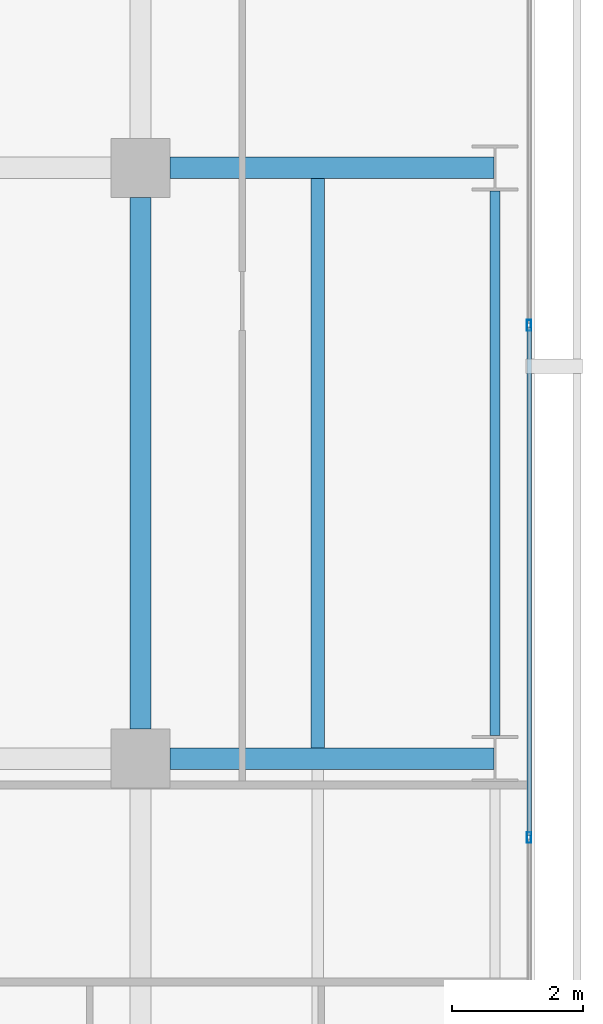
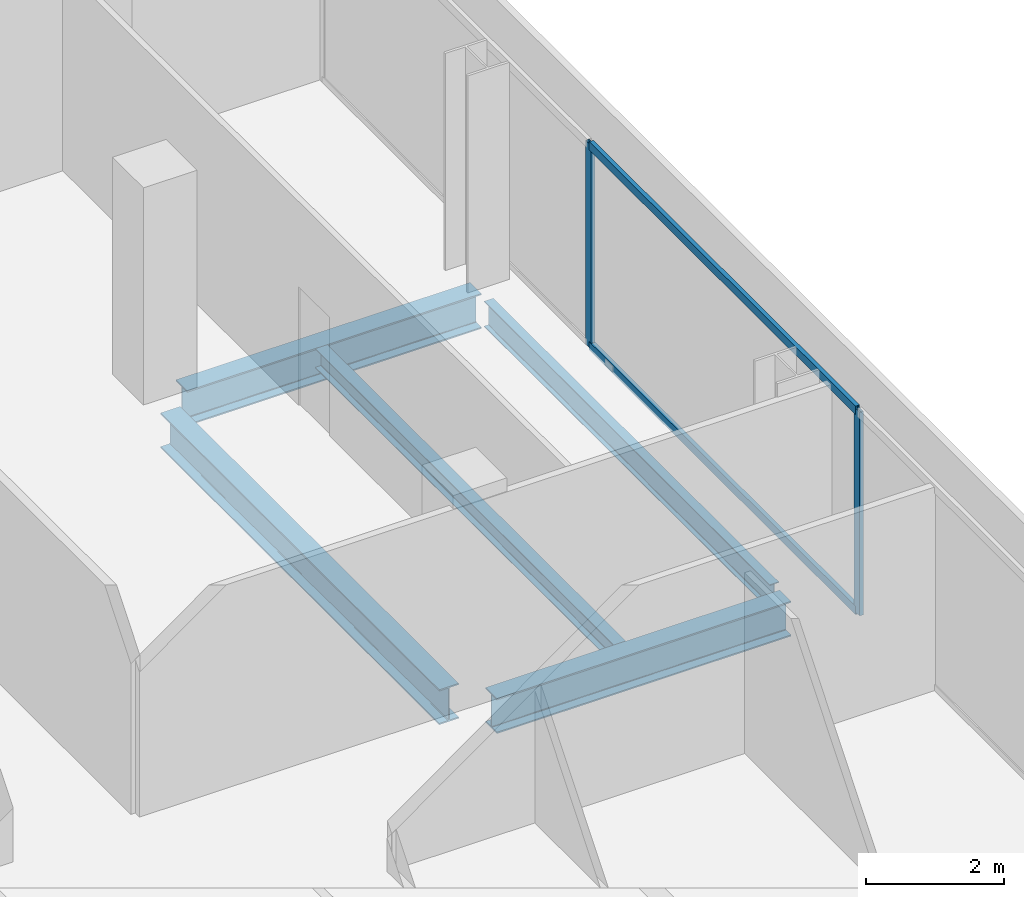
# One storey, part 28 of 40: 5 beams, 4 members, 1 element without a shape of its own.
"""IFC4 building model written with IfcOpenShell, lengths in metres."""

from ifc_helpers import new_model, si_unit, direction, frame, origin, origin_2d, place, context, subcontext, project, spatial, hollow_rectangle, i_section, extrude, material, layer, layer_set, material_profile, profile_set, type_object, element, aggregate, save


model = new_model("IFC4")

# Units and contexts
model_context = context("Model", 3, precision=1e-05, world=origin(), true_north=direction((0.0, 1.0)))
body_context = subcontext(model_context, "Body", "Model", "MODEL_VIEW")
ifc_project = project(units=[si_unit("LENGTHUNIT", "METRE"), si_unit("AREAUNIT", "SQUARE_METRE"), si_unit("VOLUMEUNIT", "CUBIC_METRE"), si_unit("PLANEANGLEUNIT", "RADIAN"), si_unit("MASSUNIT", "GRAM", prefix="KILO")], contexts=[model_context])

# Site, building, storey
site_placement = place(None, origin())
site = spatial("IfcSite", under=ifc_project, at=site_placement, CompositionType="ELEMENT")
building_placement = place(site_placement, origin())
building = spatial("IfcBuilding", under=site, at=building_placement, Name="Maruvema Waterfront Hotel and Observation Tower", CompositionType="ELEMENT")
storey_placement = place(building_placement, frame((0.0, 0.0, 73.14990234375)))
storey = spatial("IfcBuildingStorey", under=building, at=storey_placement, Name="L17", CompositionType="ELEMENT", Elevation=73.14990234375)

# Curtain wall, members
ifc_material_1 = material(Name="Anodised bronze aluminium and solar-control low-E IGU", Category="aluminium")
ifc_layer = layer(ifc_material_1, 0.159912109375, Name="Zone 1 Bronze Inner Thermal Curtain Wall System CW-02")
ifc_layer_set = layer_set([ifc_layer], Name="Anodised bronze aluminium and solar-control low-E IGU")
curtain_wall_type = type_object("IfcCurtainWallType", Name="Zone 1 Bronze Inner Thermal Curtain Wall System CW-02", PredefinedType="USERDEFINED", material=ifc_layer_set)
curtain_wall_placement = place(storey_placement, origin())
curtain_wall = element("IfcCurtainWall", 1, at=curtain_wall_placement, inside=storey, type_object=curtain_wall_type, Name="L17 Curtain Wall CW-L17-E", ObjectType="UNITISED CURTAIN WALL", PredefinedType="USERDEFINED")
ifc_material_2 = material(Name="Anodised architectural bronze aluminium", Category="aluminium")
ifc_material_profile_1 = material_profile(ifc_material_2, hollow_rectangle(XDim=0.070068359375, YDim=0.14990234375, WallThickness=0.00390625, at=origin_2d()), Name="ALU-T70x150")
ifc_profile_set_1 = profile_set([ifc_material_profile_1], Name="Anodised architectural bronze aluminium")
member_type_1 = type_object("IfcMemberType", Name="Curtain Wall Horizontal Transom ALU-T70x150", PredefinedType="USERDEFINED", material=ifc_profile_set_1)
member_1_placement = place(storey_placement, frame((64.719970703125, 34.830078125, 0.030029296875), z_axis=(0.0, 1.0, 0.0), x_axis=(-1.0, 0.0, 0.0)))
member_1 = element("IfcMember", 2, at=member_1_placement, type_object=member_type_1, Name="CW-02 transom 5.1", ObjectType="TRANSOM", PredefinedType="USERDEFINED", context=body_context, shape_type="SweptSolid", body=[
    extrude(hollow_rectangle(XDim=0.070068359375, YDim=0.14990234375, WallThickness=0.00390625, at=origin_2d()), origin(), (0.0, 0.0, 1.0), 7.739990234375),
])
member_2_placement = place(storey_placement, frame((64.719970703125, 34.830078125, 3.580078125), z_axis=(0.0, 1.0, 0.0), x_axis=(-1.0, 0.0, 0.0)))
member_2 = element("IfcMember", 3, at=member_2_placement, type_object=member_type_1, Name="CW-02 transom 5.2", ObjectType="TRANSOM", PredefinedType="USERDEFINED", context=body_context, shape_type="SweptSolid", body=[
    extrude(hollow_rectangle(XDim=0.070068359375, YDim=0.14990234375, WallThickness=0.00390625, at=origin_2d()), origin(), (0.0, 0.0, 1.0), 7.739990234375),
])
ifc_material_3 = material(Name="Anodised architectural bronze aluminium", Category="aluminium")
ifc_material_profile_2 = material_profile(ifc_material_3, hollow_rectangle(XDim=0.06494140625, YDim=0.1650390625, WallThickness=0.00390625, at=origin_2d()), Name="ALU-M65x165")
ifc_profile_set_2 = profile_set([ifc_material_profile_2], Name="Anodised architectural bronze aluminium")
member_type_2 = type_object("IfcMemberType", Name="Curtain Wall Primary Mullion ALU-M65x165", PredefinedType="MULLION", material=ifc_profile_set_2)
member_3_placement = place(storey_placement, frame((64.719970703125, 34.800048828125, 0.0), z_axis=(0.0, 0.0, 1.0), x_axis=(-1.0, 0.0, 0.0)))
member_3 = element("IfcMember", 4, at=member_3_placement, type_object=member_type_2, Name="CW-02 mullion 5", PredefinedType="MULLION", context=body_context, shape_type="SweptSolid", body=[
    extrude(hollow_rectangle(XDim=0.06494140625, YDim=0.1650390625, WallThickness=0.00390625, at=origin_2d()), origin(), (0.0, 0.0, 1.0), 3.610107421875),
])
member_4_placement = place(storey_placement, frame((64.719970703125, 42.60009765625, 0.0), z_axis=(0.0, 0.0, 1.0), x_axis=(-1.0, 0.0, 0.0)))
member_4 = element("IfcMember", 5, at=member_4_placement, type_object=member_type_2, Name="CW-02 mullion 6", PredefinedType="MULLION", context=body_context, shape_type="SweptSolid", body=[
    extrude(hollow_rectangle(XDim=0.06494140625, YDim=0.1650390625, WallThickness=0.00390625, at=origin_2d()), origin(), (0.0, 0.0, 1.0), 3.610107421875),
])
aggregate(curtain_wall, [member_3, member_4, member_1, member_2])

# Beams
ifc_material_4 = material(Name="Steel ASTM A572 Grade 50", Category="steel")
ifc_material_profile_3 = material_profile(ifc_material_4, i_section(OverallWidth=0.153076171875, OverallDepth=0.455078125, WebThickness=0.008056640625, FlangeThickness=0.01318359375, FilletRadius=0.014892578125, at=origin_2d()), Name="W460x60.0")
ifc_profile_set_3 = profile_set([ifc_material_profile_3], Name="Steel ASTM A572 Grade 50")
beam_type_1 = type_object("IfcBeamType", Name="Perimeter Spandrel Beam W460x60.0", PredefinedType="SPANDREL", material=ifc_profile_set_3)
beam_1_placement = place(storey_placement, frame((64.199951171875, 36.35009765625, -0.46728515625), z_axis=(0.0, 1.0, 0.0), x_axis=(-1.0, 0.0, 0.0)))
element("IfcBeam", 6, at=beam_1_placement, inside=storey, type_object=beam_type_1, Name="L17 Floor Girder NS-36", PredefinedType="SPANDREL", context=body_context, shape_type="SweptSolid", body=[
    extrude(i_section(OverallWidth=0.153076171875, OverallDepth=0.455078125, WebThickness=0.008056640625, FlangeThickness=0.01318359375, FilletRadius=0.014892578125, at=origin_2d()), origin(), (0.0, 0.0, 1.0), 8.2998046875),
])
ifc_material_5 = material(Name="Steel ASTM A572 Grade 50", Category="steel")
ifc_material_profile_4 = material_profile(ifc_material_5, i_section(OverallWidth=0.326904296875, OverallDepth=0.6220703125, WebThickness=0.015380859375, FlangeThickness=0.0244140625, FilletRadius=0.01806640625, at=origin_2d()), Name="W610x195.0")
ifc_profile_set_4 = profile_set([ifc_material_profile_4], Name="Steel ASTM A572 Grade 50")
beam_type_2 = type_object("IfcBeamType", Name="Primary Floor Girder W610x195.0", PredefinedType="BEAM", material=ifc_profile_set_4)
for number, where, z_axis, x_axis, name in (
    (7, (59.25, 36.0, -0.55078125), (1.0, 0.0, 0.0), (0.0, 1.0, 0.0), "L17 Floor Girder EW-31"),
    (8, (59.25, 45.0, -0.55078125), (1.0, 0.0, 0.0), (0.0, 1.0, 0.0), "L17 Floor Girder EW-35"),
):
    element("IfcBeam", number, at=place(storey_placement, frame(where, z_axis=z_axis, x_axis=x_axis)), inside=storey, type_object=beam_type_2, Name=name, PredefinedType="BEAM", context=body_context, shape_type="SweptSolid", body=[
        extrude(i_section(OverallWidth=0.326904296875, OverallDepth=0.6220703125, WebThickness=0.015380859375, FlangeThickness=0.0244140625, FilletRadius=0.01806640625, at=origin_2d()), origin(), (0.0, 0.0, 1.0), 4.93603515625),
    ])
beam_2_placement = place(storey_placement, frame((58.800048828125, 36.449951171875, -0.55078125), z_axis=(0.0, 1.0, 0.0), x_axis=(-1.0, 0.0, 0.0)))
element("IfcBeam", 9, at=beam_2_placement, inside=storey, type_object=beam_type_2, Name="L17 Floor Girder NS-31", PredefinedType="BEAM", context=body_context, shape_type="SweptSolid", body=[
    extrude(i_section(OverallWidth=0.326904296875, OverallDepth=0.6220703125, WebThickness=0.015380859375, FlangeThickness=0.0244140625, FilletRadius=0.01806640625, at=origin_2d()), origin(), (0.0, 0.0, 1.0), 8.10009765625),
])
ifc_material_6 = material(Name="Steel ASTM A572 Grade 50", Category="steel")
ifc_material_profile_5 = material_profile(ifc_material_6, i_section(OverallWidth=0.202880859375, OverallDepth=0.346923828125, WebThickness=0.0078125, FlangeThickness=0.013427734375, FilletRadius=0.014892578125, at=origin_2d()), Name="W360x64.0")
ifc_profile_set_5 = profile_set([ifc_material_profile_5], Name="Steel ASTM A572 Grade 50")
beam_type_3 = type_object("IfcBeamType", Name="Secondary Floor Joist W360x64.0", PredefinedType="JOIST", material=ifc_profile_set_5)
beam_3_placement = place(storey_placement, frame((61.5, 36.16357421875, -0.413330078125), z_axis=(0.0, 1.0, 0.0), x_axis=(-1.0, 0.0, 0.0)))
element("IfcBeam", 10, at=beam_3_placement, inside=storey, type_object=beam_type_3, Name="L17 Secondary Floor Joist JS-24", PredefinedType="JOIST", context=body_context, shape_type="SweptSolid", body=[
    extrude(i_section(OverallWidth=0.202880859375, OverallDepth=0.346923828125, WebThickness=0.0078125, FlangeThickness=0.013427734375, FilletRadius=0.014892578125, at=origin_2d()), origin(), (0.0, 0.0, 1.0), 8.6728515625),
])

save(model, "model.ifc")
